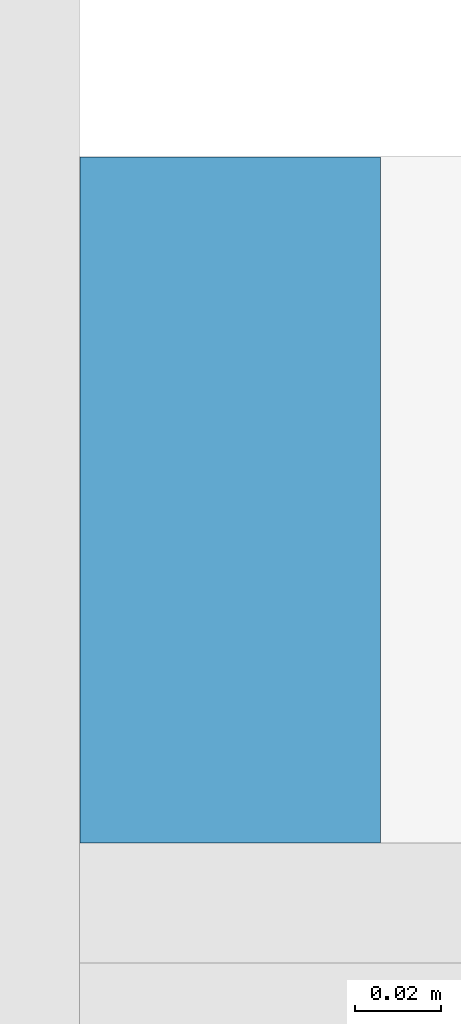
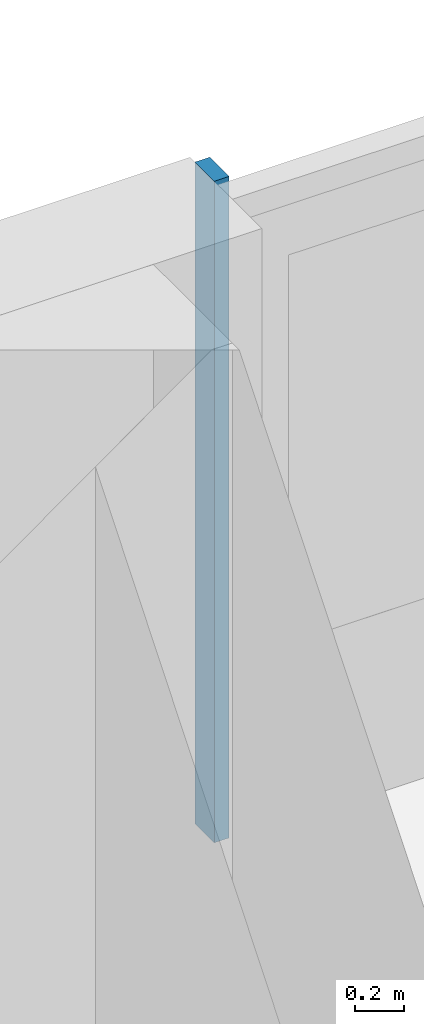
# One storey, part 12 of 30: 1 member, 1 element without a shape of its own.
"""IFC4 building model written with IfcOpenShell, lengths in metres."""

from ifc_helpers import new_model, si_unit, direction, frame, origin, origin_2d, place, context, subcontext, project, spatial, rectangle, extrude, material, material_profile, profile_set, type_object, element, aggregate, save


model = new_model("IFC4")

# Units and contexts
model_context = context("Model", 3, precision=1e-05, world=origin(), true_north=direction((0.0, 1.0)))
body_context = subcontext(model_context, "Body", "Model", "MODEL_VIEW")
ifc_project = project(units=[si_unit("LENGTHUNIT", "METRE"), si_unit("AREAUNIT", "SQUARE_METRE"), si_unit("VOLUMEUNIT", "CUBIC_METRE"), si_unit("PLANEANGLEUNIT", "RADIAN"), si_unit("MASSUNIT", "GRAM", prefix="KILO")], contexts=[model_context])

# Site, building, storey
site_placement = place(None, origin())
site = spatial("IfcSite", under=ifc_project, at=site_placement, CompositionType="ELEMENT")
building_placement = place(site_placement, origin())
building = spatial("IfcBuilding", under=site, at=building_placement, Name="Saffron Gate Tower", CompositionType="ELEMENT")
storey_placement = place(building_placement, frame((0.0, 0.0, 237.89990234375)))
storey = spatial("IfcBuildingStorey", under=building, at=storey_placement, Name="L58", CompositionType="ELEMENT", Elevation=237.89990234375)

# Curtain wall, member
ifc_material = material(Name="Aluminium, bronze anodised", Category="aluminium")
curtain_wall_type = type_object("IfcCurtainWallType", Name="CWS3 curtain wall rear facade", PredefinedType="NOTDEFINED", material=ifc_material)
curtain_wall_placement = place(storey_placement, origin())
curtain_wall = element("IfcCurtainWall", 1, at=curtain_wall_placement, inside=storey, type_object=curtain_wall_type, Name="CWS3 run 7", PredefinedType="NOTDEFINED")
ifc_material_profile = material_profile(ifc_material, rectangle(XDim=0.159912109375, YDim=0.070068359375, at=origin_2d()))
ifc_profile_set = profile_set([ifc_material_profile], Name="Aluminium, bronze anodised")
member_type = type_object("IfcMemberType", Name="CWS3 mullion 70x160", PredefinedType="MULLION", material=ifc_profile_set)
member_placement = place(storey_placement, frame((108.60009765625, 75.52001953125, 0.0), z_axis=(0.0, 0.0, 1.0), x_axis=(0.0, -1.0, 0.0)))
member = element("IfcMember", 2, at=member_placement, type_object=member_type, Name="CWS3 mullion 3", PredefinedType="MULLION", context=body_context, shape_type="SweptSolid", body=[
    extrude(rectangle(XDim=0.159912109375, YDim=0.070068359375, at=origin_2d()), origin(), (0.0, 0.0, 1.0), 3.320068359375),
])
aggregate(curtain_wall, [member])

save(model, "model.ifc")
